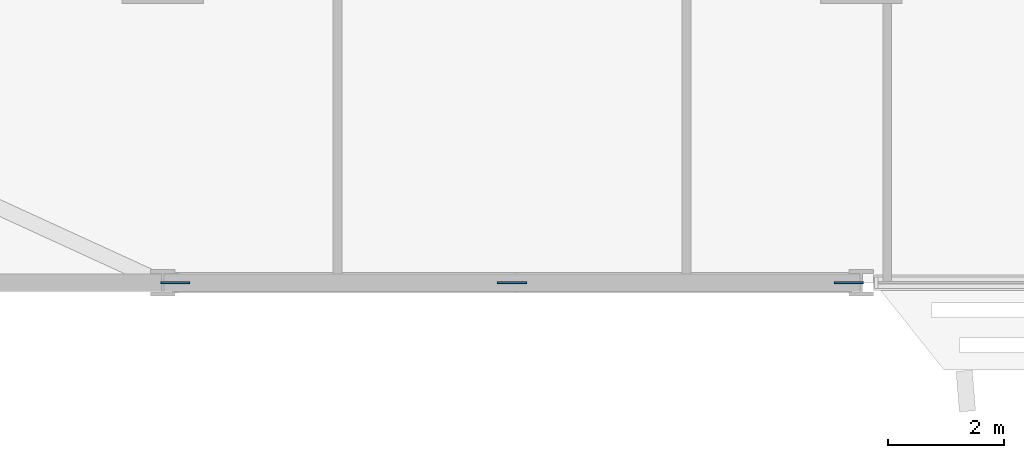
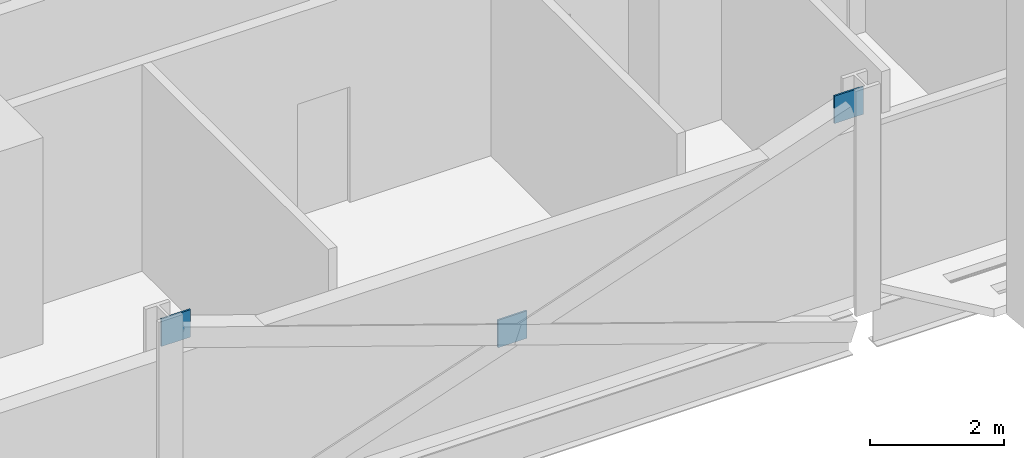
# One storey, part 19 of 31: 3 discrete accessories.
"""IFC4 building model written with IfcOpenShell, lengths in metres."""

from ifc_helpers import new_model, si_unit, direction, frame, origin, origin_2d, place, context, subcontext, project, spatial, rectangle, extrude, material, layer, layer_set, type_object, element, save


model = new_model("IFC4")

# Units and contexts
model_context = context("Model", 3, precision=1e-05, world=origin(), true_north=direction((0.0, 1.0)))
body_context = subcontext(model_context, "Body", "Model", "MODEL_VIEW")
ifc_project = project(units=[si_unit("LENGTHUNIT", "METRE"), si_unit("AREAUNIT", "SQUARE_METRE"), si_unit("VOLUMEUNIT", "CUBIC_METRE"), si_unit("PLANEANGLEUNIT", "RADIAN"), si_unit("MASSUNIT", "GRAM", prefix="KILO")], contexts=[model_context])

# Site, building, storey
site_placement = place(None, origin())
site = spatial("IfcSite", under=ifc_project, at=site_placement, CompositionType="ELEMENT")
building_placement = place(site_placement, origin())
building = spatial("IfcBuilding", under=site, at=building_placement, Name="Mahtab Terrace Research Tower", CompositionType="ELEMENT")
storey_placement = place(building_placement, frame((0.0, 0.0, 101.199951171875)))
storey = spatial("IfcBuildingStorey", under=building, at=storey_placement, Name="L23", CompositionType="ELEMENT", Elevation=101.199951171875)

# Discrete accessories
ifc_material = material(Name="Steel ASTM A992 Gr 50", Category="steel")
ifc_layer = layer(ifc_material, 0.030029296875)
ifc_layer_set = layer_set([ifc_layer], Name="Gusset plate 500x500x30")
discrete_accessory_type = type_object("IfcDiscreteAccessoryType", Name="Gusset plate 500x500x30", PredefinedType="USERDEFINED", material=ifc_layer_set)
for number, where, z_axis, x_axis, name in (
    (1, (-29.790283203125, -17.0, 3.131591796875), (0.0, 0.0, 1.0), (1.0, 0.0, 0.0), "Gusset plate"),
    (2, (-24.0, -17.0, 1.08154296875), (0.0, 0.0, 1.0), (1.0, 0.0, 0.0), "Gusset plate"),
    (3, (-18.209716796875, -17.0, 3.131591796875), (0.0, 0.0, 1.0), (1.0, 0.0, 0.0), "Gusset plate"),
):
    element("IfcDiscreteAccessory", number, at=place(storey_placement, frame(where, z_axis=z_axis, x_axis=x_axis)), inside=storey, type_object=discrete_accessory_type, Name=name, ObjectType="GUSSET PLATE", PredefinedType="USERDEFINED", context=body_context, shape_type="SweptSolid", body=[
        extrude(rectangle(XDim=0.5, YDim=0.030029296875, at=origin_2d()), origin(), (0.0, 0.0, 1.0), 0.5),
    ])

save(model, "model.ifc")
